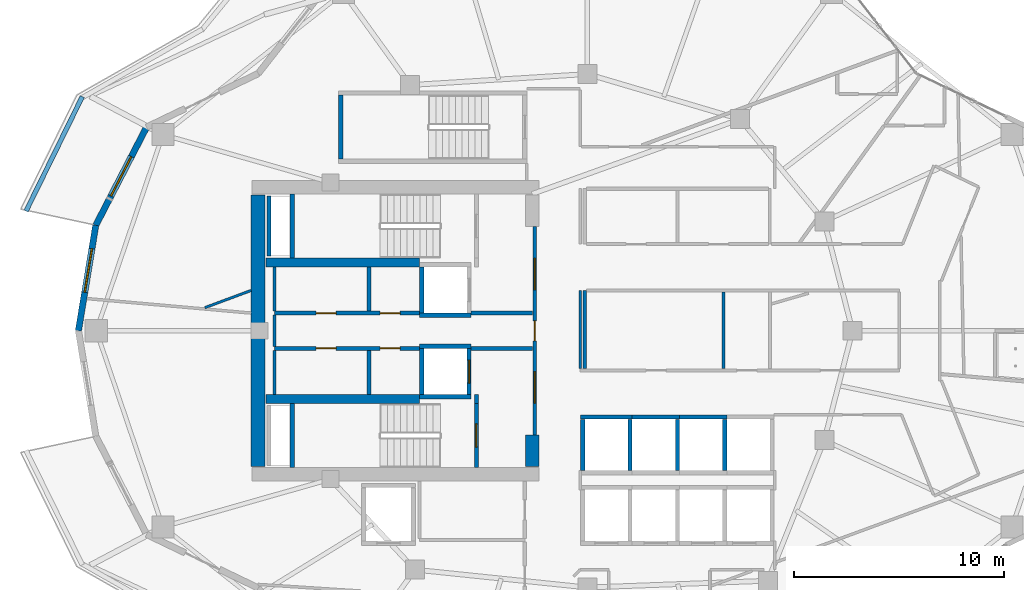
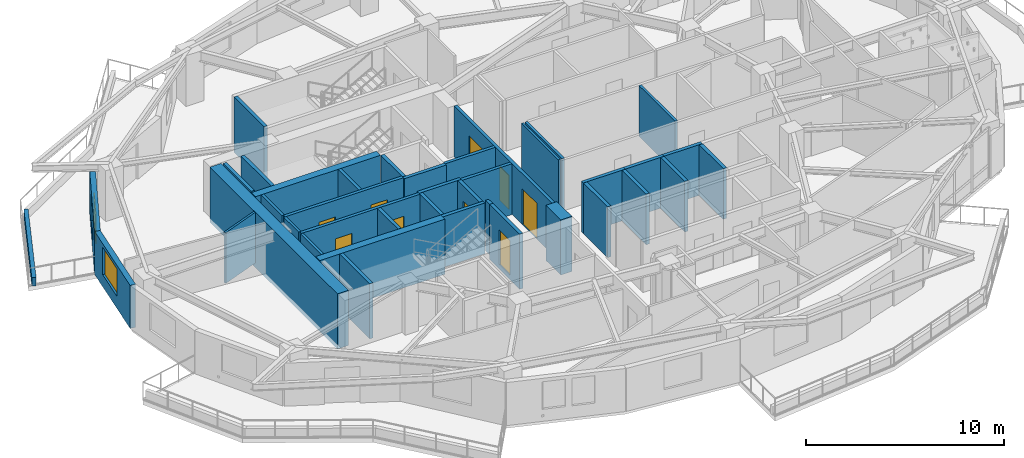
# One storey, part 7 of 15: 40 walls, 9 doors, 2 windows, 11 openings.
"""IFC4 building model written with IfcOpenShell, lengths in metres."""

from ifc_helpers import new_model, si_unit, direction, frame, frame_2d, origin, place, context, subcontext, project, spatial, rectangle, extrude, material, layer, layer_set, type_object, element, fill, save


model = new_model("IFC4")

# Units and contexts
model_context = context("Model", 3, precision=1e-05, world=origin(), true_north=direction((0.0, 1.0)))
body_context = subcontext(model_context, "Body", "Model", "MODEL_VIEW")
ifc_project = project(units=[si_unit("LENGTHUNIT", "METRE"), si_unit("AREAUNIT", "SQUARE_METRE"), si_unit("VOLUMEUNIT", "CUBIC_METRE"), si_unit("PLANEANGLEUNIT", "RADIAN"), si_unit("MASSUNIT", "GRAM", prefix="KILO")], contexts=[model_context])

# Site, building, storey
site_placement = place(None, origin())
site = spatial("IfcSite", under=ifc_project, at=site_placement, CompositionType="ELEMENT")
building_placement = place(site_placement, origin())
building = spatial("IfcBuilding", under=site, at=building_placement, Name="Kolvaren Gate Tower and Convention Centre", CompositionType="ELEMENT")
storey_placement = place(building_placement, frame((0.0, 0.0, 129.10009765625)))
storey = spatial("IfcBuildingStorey", under=building, at=storey_placement, Name="L32", CompositionType="ELEMENT", Elevation=129.10009765625)

# Wall
ifc_material_1 = material(Name="Autoclaved Aerated Masonry Blockwork Class 4 (4.0 MPa)", Category="masonry")
ifc_layer_1 = layer(ifc_material_1, 0.179931640625)
ifc_layer_set_1 = layer_set([ifc_layer_1], Name="Autoclaved Aerated Masonry Blockwork Class 4 (4.0 MPa)")
wall_type_1 = type_object("IfcWallType", Name="ARCH-WL-COMP-180", PredefinedType="SOLIDWALL", material=ifc_layer_set_1)
wall_1_placement = place(storey_placement, frame((24.85009765625, 23.5400390625, 0.0), z_axis=(0.0, 0.0, 1.0), x_axis=(0.0, 1.0, 0.0)))
element("IfcWall", 1, at=wall_1_placement, inside=storey, type_object=wall_type_1, Name="Interior Partition WL-L32-INT-001", PredefinedType="SOLIDWALL", context=body_context, shape_type="SweptSolid", body=[
    extrude(rectangle(XDim=0.419921875, YDim=0.179931640625, at=frame_2d((0.2099609375, 0.0))), origin(), (0.0, 0.0, 1.0), 3.1298828125),
])

# Wall, openings, doors
wall_2_placement = place(storey_placement, frame((27.6201171875, 22.050048828125, 0.0), z_axis=(0.0, 0.0, 1.0), x_axis=(0.0, 1.0, 0.0)))
wall_2 = element("IfcWall", 2, at=wall_2_placement, inside=storey, type_object=wall_type_1, Name="Interior Partition WL-L32-INT-003", PredefinedType="SOLIDWALL", context=body_context, shape_type="SweptSolid", body=[
    extrude(rectangle(XDim=9.89990234375, YDim=0.179931640625, at=frame_2d((4.949951171875, 0.0))), origin(), (0.0, 0.0, 1.0), 3.1298828125),
])
opening_1_placement = place(wall_2_placement, frame((4.47509765625, 0.0, 0.0)))
opening_1 = element("IfcOpeningElement", 3, at=opening_1_placement, cuts=wall_2, Name="Opening DR-01", PredefinedType="OPENING", context=body_context, shape_type="SweptSolid", body=[
    extrude(rectangle(XDim=0.949951171875, YDim=2.10009765625, at=frame_2d((0.47509765625, 1.050048828125))), frame((0.0, 0.099853515625, 0.0), z_axis=(0.0, -1.0, 0.0), x_axis=(1.0, 0.0, 0.0)), (0.0, 0.0, 1.0), 0.199951171875),
])
opening_2_placement = place(wall_2_placement, frame((6.889892578125, 0.0, 0.0)))
opening_2 = element("IfcOpeningElement", 4, at=opening_2_placement, cuts=wall_2, Name="Opening DL-01", PredefinedType="OPENING", context=body_context, shape_type="SweptSolid", body=[
    extrude(rectangle(XDim=1.5, YDim=2.199951171875, at=frame_2d((0.75, 1.10009765625))), frame((0.0, 0.099853515625, 0.0), z_axis=(0.0, -1.0, 0.0), x_axis=(1.0, 0.0, 0.0)), (0.0, 0.0, 1.0), 0.199951171875),
])
opening_3_placement = place(wall_2_placement, frame((1.510009765625, 0.0, 0.0)))
opening_3 = element("IfcOpeningElement", 5, at=opening_3_placement, cuts=wall_2, Name="Opening DL-01", PredefinedType="OPENING", context=body_context, shape_type="SweptSolid", body=[
    extrude(rectangle(XDim=1.5, YDim=2.199951171875, at=frame_2d((0.75, 1.10009765625))), frame((0.0, 0.099853515625, 0.0), z_axis=(0.0, -1.0, 0.0), x_axis=(1.0, 0.0, 0.0)), (0.0, 0.0, 1.0), 0.199951171875),
])
ifc_material_2 = material(Name="Painted Architectural Steelwork ASTM A500 Grade C 345 MPa", Category="steel")
door_type_1 = type_object("IfcDoorType", Name="ARCH-DR-LOBBY-1500", OperationType="DOUBLE_DOOR_SINGLE_SWING", PredefinedType="DOOR", material=ifc_material_2)
door_1_placement = place(opening_2_placement, origin())
door_1 = element("IfcDoor", 6, at=door_1_placement, inside=storey, type_object=door_type_1, Name="North Firefighting Stair and Lift Lobby Door", OperationType="DOUBLE_DOOR_SINGLE_SWING", OverallHeight=2.199951171875, OverallWidth=1.5, PredefinedType="DOOR", context=body_context, shape_type="SweptSolid", body=[
    extrude(rectangle(XDim=1.5, YDim=2.199951171875, at=frame_2d((0.75, 1.10009765625))), frame((0.0, 0.02490234375, 0.0), z_axis=(0.0, -1.0, 0.0), x_axis=(1.0, 0.0, 0.0)), (0.0, 0.0, 1.0), 0.050048828125),
])
fill(opening_2, door_1)
door_2_placement = place(opening_3_placement, origin())
door_2 = element("IfcDoor", 7, at=door_2_placement, inside=storey, type_object=door_type_1, Name="South Firefighting Stair and Lift Lobby Door", OperationType="DOUBLE_DOOR_SINGLE_SWING", OverallHeight=2.199951171875, OverallWidth=1.5, PredefinedType="DOOR", context=body_context, shape_type="SweptSolid", body=[
    extrude(rectangle(XDim=1.5, YDim=2.199951171875, at=frame_2d((0.75, 1.10009765625))), frame((0.0, 0.02490234375, 0.0), z_axis=(0.0, -1.0, 0.0), x_axis=(1.0, 0.0, 0.0)), (0.0, 0.0, 1.0), 0.050048828125),
])
fill(opening_3, door_2)
door_type_2 = type_object("IfcDoorType", Name="ARCH-DR-RISER-950", OperationType="SINGLE_SWING_RIGHT", PredefinedType="DOOR", material=ifc_material_2)
door_3_placement = place(opening_1_placement, origin())
door_3 = element("IfcDoor", 8, at=door_3_placement, inside=storey, type_object=door_type_2, Name="Central MEP Service Corridor Door", OperationType="SINGLE_SWING_LEFT", OverallHeight=2.10009765625, OverallWidth=0.949951171875, PredefinedType="DOOR", context=body_context, shape_type="SweptSolid", body=[
    extrude(rectangle(XDim=0.949951171875, YDim=2.10009765625, at=frame_2d((0.47509765625, 1.050048828125))), frame((0.0, 0.02490234375, 0.0), z_axis=(0.0, -1.0, 0.0), x_axis=(1.0, 0.0, 0.0)), (0.0, 0.0, 1.0), 0.050048828125),
])
fill(opening_1, door_3)

wall_3_placement = place(storey_placement, frame((15.25, 27.840087890625, 0.0), z_axis=(0.0, 0.0, 1.0), x_axis=(1.0, 0.0, 0.0)))
wall_3 = element("IfcWall", 9, at=wall_3_placement, inside=storey, type_object=wall_type_1, Name="Interior Partition WL-L32-INT-004", PredefinedType="SOLIDWALL", context=body_context, shape_type="SweptSolid", body=[
    extrude(rectangle(XDim=6.89990234375, YDim=0.179931640625, at=frame_2d((3.449951171875, 0.0))), origin(), (0.0, 0.0, 1.0), 3.1298828125),
])
opening_4_placement = place(wall_3_placement, frame((5.02001953125, 0.0, 0.0)))
opening_4 = element("IfcOpeningElement", 10, at=opening_4_placement, cuts=wall_3, Name="Opening DR-01", PredefinedType="OPENING", context=body_context, shape_type="SweptSolid", body=[
    extrude(rectangle(XDim=0.949951171875, YDim=2.10009765625, at=frame_2d((0.47509765625, 1.050048828125))), frame((0.0, 0.099853515625, 0.0), z_axis=(0.0, -1.0, 0.0), x_axis=(1.0, 0.0, 0.0)), (0.0, 0.0, 1.0), 0.199951171875),
])
opening_5_placement = place(wall_3_placement, frame((1.97998046875, 0.0, 0.0)))
opening_5 = element("IfcOpeningElement", 11, at=opening_5_placement, cuts=wall_3, Name="Opening DR-01", PredefinedType="OPENING", context=body_context, shape_type="SweptSolid", body=[
    extrude(rectangle(XDim=0.949951171875, YDim=2.10009765625, at=frame_2d((0.47509765625, 1.050048828125))), frame((0.0, 0.099853515625, 0.0), z_axis=(0.0, -1.0, 0.0), x_axis=(1.0, 0.0, 0.0)), (0.0, 0.0, 1.0), 0.199951171875),
])
door_4_placement = place(opening_4_placement, origin())
door_4 = element("IfcDoor", 12, at=door_4_placement, inside=storey, type_object=door_type_2, Name="Electrical Switchgear Closet Door", OperationType="SINGLE_SWING_RIGHT", OverallHeight=2.10009765625, OverallWidth=0.949951171875, PredefinedType="DOOR", context=body_context, shape_type="SweptSolid", body=[
    extrude(rectangle(XDim=0.949951171875, YDim=2.10009765625, at=frame_2d((0.47509765625, 1.050048828125))), frame((0.0, 0.02490234375, 0.0), z_axis=(0.0, -1.0, 0.0), x_axis=(1.0, 0.0, 0.0)), (0.0, 0.0, 1.0), 0.050048828125),
])
fill(opening_4, door_4)
door_5_placement = place(opening_5_placement, origin())
door_5 = element("IfcDoor", 13, at=door_5_placement, inside=storey, type_object=door_type_2, Name="Staff Powder Washroom Door", OperationType="SINGLE_SWING_RIGHT", OverallHeight=2.10009765625, OverallWidth=0.949951171875, PredefinedType="DOOR", context=body_context, shape_type="SweptSolid", body=[
    extrude(rectangle(XDim=0.949951171875, YDim=2.10009765625, at=frame_2d((0.47509765625, 1.050048828125))), frame((0.0, 0.02490234375, 0.0), z_axis=(0.0, -1.0, 0.0), x_axis=(1.0, 0.0, 0.0)), (0.0, 0.0, 1.0), 0.050048828125),
])
fill(opening_5, door_5)

# Wall
wall_4_placement = place(storey_placement, frame((24.60009765625, 27.840087890625, 0.0), z_axis=(0.0, 0.0, 1.0), x_axis=(1.0, 0.0, 0.0)))
element("IfcWall", 14, at=wall_4_placement, inside=storey, type_object=wall_type_1, Name="Interior Partition WL-L32-INT-004 (2)", PredefinedType="SOLIDWALL", context=body_context, shape_type="SweptSolid", body=[
    extrude(rectangle(XDim=2.927978515625, YDim=0.179931640625, at=frame_2d((1.4638671875, 0.0))), origin(), (0.0, 0.0, 1.0), 3.1298828125),
])

# Wall, openings, doors
wall_5_placement = place(storey_placement, frame((15.25, 26.159912109375, 0.0), z_axis=(0.0, 0.0, 1.0), x_axis=(1.0, 0.0, 0.0)))
wall_5 = element("IfcWall", 15, at=wall_5_placement, inside=storey, type_object=wall_type_1, Name="Interior Partition WL-L32-INT-005", PredefinedType="SOLIDWALL", context=body_context, shape_type="SweptSolid", body=[
    extrude(rectangle(XDim=6.89990234375, YDim=0.179931640625, at=frame_2d((3.449951171875, 0.0))), origin(), (0.0, 0.0, 1.0), 3.1298828125),
])
opening_6_placement = place(wall_5_placement, frame((5.02001953125, 0.0, 0.0)))
opening_6 = element("IfcOpeningElement", 16, at=opening_6_placement, cuts=wall_5, Name="Opening DR-01", PredefinedType="OPENING", context=body_context, shape_type="SweptSolid", body=[
    extrude(rectangle(XDim=0.949951171875, YDim=2.10009765625, at=frame_2d((0.47509765625, 1.050048828125))), frame((0.0, 0.099853515625, 0.0), z_axis=(0.0, -1.0, 0.0), x_axis=(1.0, 0.0, 0.0)), (0.0, 0.0, 1.0), 0.199951171875),
])
opening_7_placement = place(wall_5_placement, frame((1.97998046875, 0.0, 0.0)))
opening_7 = element("IfcOpeningElement", 17, at=opening_7_placement, cuts=wall_5, Name="Opening DR-01", PredefinedType="OPENING", context=body_context, shape_type="SweptSolid", body=[
    extrude(rectangle(XDim=0.949951171875, YDim=2.10009765625, at=frame_2d((0.47509765625, 1.050048828125))), frame((0.0, 0.099853515625, 0.0), z_axis=(0.0, -1.0, 0.0), x_axis=(1.0, 0.0, 0.0)), (0.0, 0.0, 1.0), 0.199951171875),
])
door_6_placement = place(opening_6_placement, origin())
door_6 = element("IfcDoor", 18, at=door_6_placement, inside=storey, type_object=door_type_2, Name="Domestic Water Meter Closet Door", OperationType="SINGLE_SWING_LEFT", OverallHeight=2.10009765625, OverallWidth=0.949951171875, PredefinedType="DOOR", context=body_context, shape_type="SweptSolid", body=[
    extrude(rectangle(XDim=0.949951171875, YDim=2.10009765625, at=frame_2d((0.47509765625, 1.050048828125))), frame((0.0, 0.02490234375, 0.0), z_axis=(0.0, -1.0, 0.0), x_axis=(1.0, 0.0, 0.0)), (0.0, 0.0, 1.0), 0.050048828125),
])
fill(opening_6, door_6)
door_7_placement = place(opening_7_placement, origin())
door_7 = element("IfcDoor", 19, at=door_7_placement, inside=storey, type_object=door_type_2, Name="Janitor Equipment Store Door", OperationType="SINGLE_SWING_LEFT", OverallHeight=2.10009765625, OverallWidth=0.949951171875, PredefinedType="DOOR", context=body_context, shape_type="SweptSolid", body=[
    extrude(rectangle(XDim=0.949951171875, YDim=2.10009765625, at=frame_2d((0.47509765625, 1.050048828125))), frame((0.0, 0.02490234375, 0.0), z_axis=(0.0, -1.0, 0.0), x_axis=(1.0, 0.0, 0.0)), (0.0, 0.0, 1.0), 0.050048828125),
])
fill(opening_7, door_7)

# Walls
wall_6_placement = place(storey_placement, frame((24.60009765625, 26.159912109375, 0.0), z_axis=(0.0, 0.0, 1.0), x_axis=(1.0, 0.0, 0.0)))
element("IfcWall", 20, at=wall_6_placement, inside=storey, type_object=wall_type_1, Name="Interior Partition WL-L32-INT-005 (2)", PredefinedType="SOLIDWALL", context=body_context, shape_type="SweptSolid", body=[
    extrude(rectangle(XDim=2.927978515625, YDim=0.179931640625, at=frame_2d((1.4638671875, 0.0))), origin(), (0.0, 0.0, 1.0), 3.1298828125),
])
for number, where, z_axis, x_axis, name in (
    (21, (19.75, 23.9619140625, 0.0), (0.0, 0.0, 1.0), (0.0, 1.0, 0.0), "Interior Partition WL-L32-INT-007"),
    (22, (19.75, 27.931884765625, 0.0), (0.0, 0.0, 1.0), (0.0, 1.0, 0.0), "Interior Partition WL-L32-INT-008"),
):
    element("IfcWall", number, at=place(storey_placement, frame(where, z_axis=z_axis, x_axis=x_axis)), inside=storey, type_object=wall_type_1, Name=name, PredefinedType="SOLIDWALL", context=body_context, shape_type="SweptSolid", body=[
        extrude(rectangle(XDim=2.106201171875, YDim=0.179931640625, at=frame_2d((1.05322265625, 0.0))), origin(), (0.0, 0.0, 1.0), 3.1298828125),
    ])
ifc_material_3 = material(Name="Fire-Rated Acoustic Gypsum Stud Partition", Category="gypsum")
ifc_layer_2 = layer(ifc_material_3, 0.1201171875)
ifc_layer_set_2 = layer_set([ifc_layer_2], Name="Fire-Rated Acoustic Gypsum Stud Partition")
wall_type_2 = type_object("IfcWallType", Name="ARCH-WL-PART-120", PredefinedType="PARTITIONING", material=ifc_layer_set_2)
wall_7_placement = place(storey_placement, frame((29.780029296875, 25.197021484375, 0.0), z_axis=(0.0, 0.0, 1.0), x_axis=(0.0, 1.0, 0.0)))
element("IfcWall", 23, at=wall_7_placement, inside=storey, type_object=wall_type_2, Name="Interior Partition WL-L32-INT-031", PredefinedType="PARTITIONING", context=body_context, shape_type="SweptSolid", body=[
    extrude(rectangle(XDim=3.722900390625, YDim=0.1201171875, at=frame_2d((1.861328125, 0.0))), origin(), (0.0, 0.0, 1.0), 3.1298828125),
])
wall_8_placement = place(storey_placement, frame((11.943115234375, 28.096923828125, 0.0), z_axis=(0.0, 0.0, 1.0), x_axis=(0.937403974444, 0.348243863831, 0.0)))
element("IfcWall", 24, at=wall_8_placement, inside=storey, type_object=wall_type_2, Name="Interior Partition WL-L32-INT-067", PredefinedType="PARTITIONING", context=body_context, shape_type="SweptSolid", body=[
    extrude(rectangle(XDim=2.35205078125, YDim=0.1201171875, at=frame_2d((1.176025390625, 0.0))), origin(), (0.0, 0.0, 1.0), 3.1298828125),
])
ifc_material_4 = material(Name="Piedmont Cream Honed Limestone Cladding", Category="masonry")
ifc_layer_3 = layer(ifc_material_4, 0.219970703125)
ifc_layer_set_3 = layer_set([ifc_layer_3], Name="Piedmont Cream Honed Limestone Cladding")
wall_type_3 = type_object("IfcWallType", Name="ARCH-WL-PLANTER-220", PredefinedType="PARAPET", material=ifc_layer_set_3)
wall_9_placement = place(storey_placement, frame((3.44873046875, 32.68701171875, 0.0), z_axis=(0.0, 0.0, 1.0), x_axis=(0.441269631716, 0.897374566235, 0.0)))
element("IfcWall", 25, at=wall_9_placement, inside=storey, type_object=wall_type_3, Name="Vertical-Forest Balcony Stone Planter Kerb PK-L32-1.3", PredefinedType="PARAPET", context=body_context, shape_type="SweptSolid", body=[
    extrude(rectangle(XDim=6.05615234375, YDim=0.219970703125, at=frame_2d((3.028076171875, 0.0))), origin(), (0.0, 0.0, 1.0), 0.52001953125),
])
ifc_layer_4 = layer(ifc_material_1, 0.199951171875)
ifc_layer_set_4 = layer_set([ifc_layer_4], Name="Autoclaved Aerated Masonry Blockwork Class 4 (4.0 MPa)")
wall_type_4 = type_object("IfcWallType", Name="ARCH-WL-SHAFT-200", PredefinedType="SOLIDWALL", material=ifc_layer_set_4)
wall_10_placement = place(storey_placement, frame((22.14990234375, 27.739990234375, 0.0), z_axis=(0.0, 0.0, 1.0), x_axis=(1.0, 0.0, 0.0)))
element("IfcWall", 26, at=wall_10_placement, inside=storey, type_object=wall_type_4, Name="Elevator FF-01 L32 Fire Shaft Wall S", PredefinedType="SOLIDWALL", context=body_context, shape_type="SweptSolid", body=[
    extrude(rectangle(XDim=2.4501953125, YDim=0.199951171875, at=frame_2d((1.22509765625, 0.0))), origin(), (0.0, 0.0, 1.0), 3.1298828125),
])
wall_11_placement = place(storey_placement, frame((22.25, 27.85009765625, 0.0), z_axis=(0.0, 0.0, 1.0), x_axis=(0.0, 1.0, 0.0)))
element("IfcWall", 27, at=wall_11_placement, inside=storey, type_object=wall_type_4, Name="Elevator FF-01 L32 Fire Shaft Wall W", PredefinedType="SOLIDWALL", context=body_context, shape_type="SweptSolid", body=[
    extrude(rectangle(XDim=2.179931640625, YDim=0.199951171875, at=frame_2d((1.08984375, 0.0))), origin(), (0.0, 0.0, 1.0), 3.1298828125),
])
for number, where, z_axis, x_axis, name in (
    (28, (22.14990234375, 26.260009765625, 0.0), (0.0, 0.0, 1.0), (1.0, 0.0, 0.0), "Elevator FF-02 L32 Fire Shaft Wall N"),
    (29, (22.14990234375, 23.860107421875, 0.0), (0.0, 0.0, 1.0), (1.0, 0.0, 0.0), "Elevator FF-02 L32 Fire Shaft Wall S"),
):
    element("IfcWall", number, at=place(storey_placement, frame(where, z_axis=z_axis, x_axis=x_axis)), inside=storey, type_object=wall_type_4, Name=name, PredefinedType="SOLIDWALL", context=body_context, shape_type="SweptSolid", body=[
        extrude(rectangle(XDim=2.4501953125, YDim=0.199951171875, at=frame_2d((1.22509765625, 0.0))), origin(), (0.0, 0.0, 1.0), 3.1298828125),
    ])
wall_12_placement = place(storey_placement, frame((22.25, 23.969970703125, 0.0), z_axis=(0.0, 0.0, 1.0), x_axis=(0.0, 1.0, 0.0)))
element("IfcWall", 30, at=wall_12_placement, inside=storey, type_object=wall_type_4, Name="Elevator FF-02 L32 Fire Shaft Wall W", PredefinedType="SOLIDWALL", context=body_context, shape_type="SweptSolid", body=[
    extrude(rectangle(XDim=2.179931640625, YDim=0.199951171875, at=frame_2d((1.08984375, 0.0))), origin(), (0.0, 0.0, 1.0), 3.1298828125),
])

# Wall, opening, door
wall_13_placement = place(storey_placement, frame((24.5, 23.969970703125, 0.0), z_axis=(0.0, 0.0, 1.0), x_axis=(0.0, 1.0, 0.0)))
wall_13 = element("IfcWall", 31, at=wall_13_placement, inside=storey, type_object=wall_type_4, Name="Elevator FF-02 L32 Fire Shaft Wall E", PredefinedType="SOLIDWALL", context=body_context, shape_type="SweptSolid", body=[
    extrude(rectangle(XDim=2.179931640625, YDim=0.199951171875, at=frame_2d((1.08984375, 0.0))), origin(), (0.0, 0.0, 1.0), 3.1298828125),
])
opening_8_placement = place(wall_13_placement, frame((0.5400390625, 0.0, 0.0)))
opening_8 = element("IfcOpeningElement", 32, at=opening_8_placement, cuts=wall_13, Name="Opening LD", PredefinedType="OPENING", context=body_context, shape_type="SweptSolid", body=[
    extrude(rectangle(XDim=1.10009765625, YDim=2.199951171875, at=frame_2d((0.550048828125, 1.10009765625))), frame((0.0, 0.10986328125, 0.0), z_axis=(0.0, -1.0, 0.0), x_axis=(1.0, 0.0, 0.0)), (0.0, 0.0, 1.0), 0.219970703125),
])
ifc_material_5 = material(Name="Brushed Stainless Steel Grade 316L", Category="steel")
door_type_3 = type_object("IfcDoorType", Name="ARCH-DR-LIFT-1100", OperationType="SLIDING_TO_LEFT", PredefinedType="DOOR", material=ifc_material_5)
door_8_placement = place(opening_8_placement, origin())
door_8 = element("IfcDoor", 33, at=door_8_placement, inside=storey, type_object=door_type_3, Name="Elevator FF-02 L32 Sliding Landing Door", OperationType="SLIDING_TO_LEFT", OverallHeight=2.199951171875, OverallWidth=1.10009765625, PredefinedType="DOOR", context=body_context, shape_type="SweptSolid", body=[
    extrude(rectangle(XDim=1.10009765625, YDim=2.199951171875, at=frame_2d((0.550048828125, 1.10009765625))), frame((0.0, 0.02490234375, 0.0), z_axis=(0.0, -1.0, 0.0), x_axis=(1.0, 0.0, 0.0)), (0.0, 0.0, 1.0), 0.050048828125),
])
fill(opening_8, door_8)

# Walls
wall_14_placement = place(storey_placement, frame((29.800048828125, 22.89990234375, 0.0), z_axis=(0.0, 0.0, 1.0), x_axis=(1.0, 0.0, 0.0)))
element("IfcWall", 34, at=wall_14_placement, inside=storey, type_object=wall_type_4, Name="Elevator PL-09 L32 Fire Shaft Wall N", PredefinedType="SOLIDWALL", context=body_context, shape_type="SweptSolid", body=[
    extrude(rectangle(XDim=2.449951171875, YDim=0.199951171875, at=frame_2d((1.22509765625, 0.0))), origin(), (0.0, 0.0, 1.0), 3.1298828125),
])
for number, where, z_axis, x_axis, name in (
    (35, (29.89990234375, 20.360107421875, 0.0), (0.0, 0.0, 1.0), (0.0, 1.0, 0.0), "Elevator PL-09 L32 Fire Shaft Wall W"),
    (36, (32.14990234375, 20.360107421875, 0.0), (0.0, 0.0, 1.0), (0.0, 1.0, 0.0), "Elevator PL-09 L32 Fire Shaft Wall E"),
):
    element("IfcWall", number, at=place(storey_placement, frame(where, z_axis=z_axis, x_axis=x_axis)), inside=storey, type_object=wall_type_4, Name=name, PredefinedType="SOLIDWALL", context=body_context, shape_type="SweptSolid", body=[
        extrude(rectangle(XDim=2.429931640625, YDim=0.199951171875, at=frame_2d((1.21484375, 0.0))), origin(), (0.0, 0.0, 1.0), 3.1298828125),
    ])
wall_15_placement = place(storey_placement, frame((32.25, 22.89990234375, 0.0), z_axis=(0.0, 0.0, 1.0), x_axis=(1.0, 0.0, 0.0)))
element("IfcWall", 37, at=wall_15_placement, inside=storey, type_object=wall_type_4, Name="Elevator PL-10 L32 Fire Shaft Wall N", PredefinedType="SOLIDWALL", context=body_context, shape_type="SweptSolid", body=[
    extrude(rectangle(XDim=2.25, YDim=0.199951171875, at=frame_2d((1.125, 0.0))), origin(), (0.0, 0.0, 1.0), 3.1298828125),
])
wall_16_placement = place(storey_placement, frame((34.39990234375, 20.360107421875, 0.0), z_axis=(0.0, 0.0, 1.0), x_axis=(0.0, 1.0, 0.0)))
element("IfcWall", 38, at=wall_16_placement, inside=storey, type_object=wall_type_4, Name="Elevator PL-10 L32 Fire Shaft Wall E", PredefinedType="SOLIDWALL", context=body_context, shape_type="SweptSolid", body=[
    extrude(rectangle(XDim=2.429931640625, YDim=0.199951171875, at=frame_2d((1.21484375, 0.0))), origin(), (0.0, 0.0, 1.0), 3.1298828125),
])
wall_17_placement = place(storey_placement, frame((34.5, 22.89990234375, 0.0), z_axis=(0.0, 0.0, 1.0), x_axis=(1.0, 0.0, 0.0)))
element("IfcWall", 39, at=wall_17_placement, inside=storey, type_object=wall_type_4, Name="Elevator PL-11 L32 Fire Shaft Wall N", PredefinedType="SOLIDWALL", context=body_context, shape_type="SweptSolid", body=[
    extrude(rectangle(XDim=2.25, YDim=0.199951171875, at=frame_2d((1.125, 0.0))), origin(), (0.0, 0.0, 1.0), 3.1298828125),
])
wall_18_placement = place(storey_placement, frame((36.64990234375, 20.360107421875, 0.0), z_axis=(0.0, 0.0, 1.0), x_axis=(0.0, 1.0, 0.0)))
element("IfcWall", 40, at=wall_18_placement, inside=storey, type_object=wall_type_4, Name="Elevator PL-11 L32 Fire Shaft Wall E", PredefinedType="SOLIDWALL", context=body_context, shape_type="SweptSolid", body=[
    extrude(rectangle(XDim=2.429931640625, YDim=0.199951171875, at=frame_2d((1.21484375, 0.0))), origin(), (0.0, 0.0, 1.0), 3.1298828125),
])
wall_19_placement = place(storey_placement, frame((14.989990234375, 30.550048828125, 0.0), z_axis=(0.0, 0.0, 1.0), x_axis=(0.0, 1.0, 0.0)))
element("IfcWall", 41, at=wall_19_placement, inside=storey, type_object=wall_type_4, Name="Vertical Shaft HVR L32 EI-120 Enclosure Wall W", PredefinedType="SOLIDWALL", context=body_context, shape_type="SweptSolid", body=[
    extrude(rectangle(XDim=2.849853515625, YDim=0.199951171875, at=frame_2d((1.4248046875, 0.0))), origin(), (0.0, 0.0, 1.0), 3.1298828125),
])

# Wall, opening, window
ifc_layer_5 = layer(ifc_material_4, 0.300048828125)
ifc_layer_set_5 = layer_set([ifc_layer_5], Name="Piedmont Cream Honed Limestone Cladding")
wall_type_5 = type_object("IfcWallType", Name="ARCH-WL-STONE-300", PredefinedType="SOLIDWALL", material=ifc_layer_set_5)
wall_20_placement = place(storey_placement, frame((6.76171875, 32.008056640625, 0.0), z_axis=(0.0, 0.0, 1.0), x_axis=(0.459767899643, 0.888039119892, 0.0)))
wall_20 = element("IfcWall", 42, at=wall_20_placement, inside=storey, type_object=wall_type_5, Name="Tower L32 Honed Stone Spandrel Wall EW-10", PredefinedType="SOLIDWALL", context=body_context, shape_type="SweptSolid", body=[
    extrude(rectangle(XDim=5.25537109375, YDim=0.300048828125, at=frame_2d((2.627685546875, 0.0))), origin(), (0.0, 0.0, 1.0), 2.65283203125),
])
opening_9_placement = place(wall_20_placement, frame((1.577880859375, 0.0, 0.739990234375)))
opening_9 = element("IfcOpeningElement", 43, at=opening_9_placement, cuts=wall_20, Name="Opening W-02", PredefinedType="OPENING", context=body_context, shape_type="SweptSolid", body=[
    extrude(rectangle(XDim=2.10009765625, YDim=1.699951171875, at=frame_2d((1.050048828125, 0.85009765625))), frame((0.0, 0.159912109375, 0.0), z_axis=(0.0, -1.0, 0.0), x_axis=(1.0, 0.0, 0.0)), (0.0, 0.0, 1.0), 0.320068359375),
])
ifc_material_6 = material(Name="Low-E Triple Insulated Glazing Unit 44 mm", Category="glass")
window_type = type_object("IfcWindowType", Name="ARCH-WN-HTL-2100", PartitioningType="SINGLE_PANEL", PredefinedType="WINDOW", material=ifc_material_6)
window_1_placement = place(opening_9_placement, origin())
window_1 = element("IfcWindow", 44, at=window_1_placement, inside=storey, type_object=window_type, Name="Tower L32 Punched Stone Facade Window W-10", OverallHeight=1.699951171875, OverallWidth=2.10009765625, PartitioningType="SINGLE_PANEL", PredefinedType="WINDOW", context=body_context, shape_type="SweptSolid", body=[
    extrude(rectangle(XDim=2.10009765625, YDim=1.699951171875, at=frame_2d((1.050048828125, 0.85009765625))), frame((0.0, 0.030029296875, 0.0), z_axis=(0.0, -1.0, 0.0), x_axis=(1.0, 0.0, 0.0)), (0.0, 0.0, 1.0), 0.06005859375),
])
fill(opening_9, window_1)

wall_21_placement = place(storey_placement, frame((5.9375, 27.0, 0.0), z_axis=(0.0, 0.0, 1.0), x_axis=(0.162393944769, 0.986726003864, 0.0)))
wall_21 = element("IfcWall", 45, at=wall_21_placement, inside=storey, type_object=wall_type_5, Name="Tower L32 Honed Stone Spandrel Wall EW-11", PredefinedType="SOLIDWALL", context=body_context, shape_type="SweptSolid", body=[
    extrude(rectangle(XDim=5.075439453125, YDim=0.300048828125, at=frame_2d((2.53759765625, 0.0))), origin(), (0.0, 0.0, 1.0), 2.65283203125),
])
opening_10_placement = place(wall_21_placement, frame((1.85009765625, 0.0, 0.739990234375)))
opening_10 = element("IfcOpeningElement", 46, at=opening_10_placement, cuts=wall_21, Name="Opening W-02", PredefinedType="OPENING", context=body_context, shape_type="SweptSolid", body=[
    extrude(rectangle(XDim=2.10009765625, YDim=1.699951171875, at=frame_2d((1.050048828125, 0.85009765625))), frame((0.0, 0.159912109375, 0.0), z_axis=(0.0, -1.0, 0.0), x_axis=(1.0, 0.0, 0.0)), (0.0, 0.0, 1.0), 0.320068359375),
])
window_2_placement = place(opening_10_placement, origin())
window_2 = element("IfcWindow", 47, at=window_2_placement, inside=storey, type_object=window_type, Name="Tower L32 Punched Stone Facade Window W-11", OverallHeight=1.699951171875, OverallWidth=2.10009765625, PartitioningType="SINGLE_PANEL", PredefinedType="WINDOW", context=body_context, shape_type="SweptSolid", body=[
    extrude(rectangle(XDim=2.10009765625, YDim=1.699951171875, at=frame_2d((1.050048828125, 0.85009765625))), frame((0.0, 0.030029296875, 0.0), z_axis=(0.0, -1.0, 0.0), x_axis=(1.0, 0.0, 0.0)), (0.0, 0.0, 1.0), 0.06005859375),
])
fill(opening_10, window_2)

# Walls
ifc_material_7 = material(Name="Moisture-Resistant Cement-Board Acoustic Partition", Category="gypsum")
ifc_layer_6 = layer(ifc_material_7, 0.14990234375)
ifc_layer_set_6 = layer_set([ifc_layer_6], Name="Moisture-Resistant Cement-Board Acoustic Partition")
wall_type_6 = type_object("IfcWallType", Name="ARCH-WL-WET-150", PredefinedType="PARTITIONING", material=ifc_layer_set_6)
wall_22_placement = place(storey_placement, frame((15.25, 23.9619140625, 0.0), z_axis=(0.0, 0.0, 1.0), x_axis=(0.0, 1.0, 0.0)))
element("IfcWall", 48, at=wall_22_placement, inside=storey, type_object=wall_type_6, Name="Interior Partition WL-L32-INT-006", PredefinedType="PARTITIONING", context=body_context, shape_type="SweptSolid", body=[
    extrude(rectangle(XDim=2.106201171875, YDim=0.14990234375, at=frame_2d((1.05322265625, 0.0))), origin(), (0.0, 0.0, 1.0), 3.1298828125),
])
wall_23_placement = place(storey_placement, frame((15.25, 26.251953125, 0.0), z_axis=(0.0, 0.0, 1.0), x_axis=(0.0, 1.0, 0.0)))
element("IfcWall", 49, at=wall_23_placement, inside=storey, type_object=wall_type_6, Name="Interior Partition WL-L32-INT-006 (2)", PredefinedType="PARTITIONING", context=body_context, shape_type="SweptSolid", body=[
    extrude(rectangle(XDim=1.49609375, YDim=0.14990234375, at=frame_2d((0.748046875, 0.0))), origin(), (0.0, 0.0, 1.0), 3.1298828125),
])
wall_24_placement = place(storey_placement, frame((15.25, 27.931884765625, 0.0), z_axis=(0.0, 0.0, 1.0), x_axis=(0.0, 1.0, 0.0)))
element("IfcWall", 50, at=wall_24_placement, inside=storey, type_object=wall_type_6, Name="Interior Partition WL-L32-INT-006 (3)", PredefinedType="PARTITIONING", context=body_context, shape_type="SweptSolid", body=[
    extrude(rectangle(XDim=2.106201171875, YDim=0.14990234375, at=frame_2d((1.05322265625, 0.0))), origin(), (0.0, 0.0, 1.0), 3.1298828125),
])
wall_25_placement = place(storey_placement, frame((30.0, 25.197021484375, 0.0), z_axis=(0.0, 0.0, 1.0), x_axis=(0.0, 1.0, 0.0)))
element("IfcWall", 51, at=wall_25_placement, inside=storey, type_object=wall_type_6, Name="Interior Partition WL-L32-INT-013", PredefinedType="PARTITIONING", context=body_context, shape_type="SweptSolid", body=[
    extrude(rectangle(XDim=3.722900390625, YDim=0.14990234375, at=frame_2d((1.861328125, 0.0))), origin(), (0.0, 0.0, 1.0), 3.1298828125),
])
wall_26_placement = place(storey_placement, frame((36.60009765625, 25.197021484375, 0.0), z_axis=(0.0, 0.0, 1.0), x_axis=(0.0, 1.0, 0.0)))
element("IfcWall", 52, at=wall_26_placement, inside=storey, type_object=wall_type_6, Name="Interior Partition WL-L32-INT-016", PredefinedType="PARTITIONING", context=body_context, shape_type="SweptSolid", body=[
    extrude(rectangle(XDim=3.64599609375, YDim=0.14990234375, at=frame_2d((1.822998046875, 0.0))), origin(), (0.0, 0.0, 1.0), 3.1298828125),
])
ifc_material_8 = material(Name="Concrete C50/60", Category="concrete")
ifc_layer_7 = layer(ifc_material_8, 0.419921875)
ifc_layer_set_7 = layer_set([ifc_layer_7], Name="Concrete C50/60")
wall_type_7 = type_object("IfcWallType", Name="STR-WL-CONV-420", PredefinedType="SHEAR", material=ifc_layer_set_7)
for number, where, z_axis, x_axis, name in (
    (53, (14.85009765625, 30.25, -0.27001953125), (0.0, 0.0, 1.0), (1.0, 0.0, 0.0), "Tower L32 Offset Core Shear Wall WN"),
    (54, (14.85009765625, 23.75, -0.27001953125), (0.0, 0.0, 1.0), (1.0, 0.0, 0.0), "Tower L32 Offset Core Shear Wall WS"),
):
    element("IfcWall", number, at=place(storey_placement, frame(where, z_axis=z_axis, x_axis=x_axis)), inside=storey, type_object=wall_type_7, Name=name, PredefinedType="SHEAR", context=body_context, shape_type="SweptSolid", body=[
        extrude(rectangle(XDim=7.2998046875, YDim=0.419921875, at=frame_2d((3.64990234375, 0.0))), origin(), (0.0, 0.0, 1.0), 3.39990234375),
    ])
ifc_material_9 = material(Name="Concrete C60/75", Category="concrete")
ifc_layer_8 = layer(ifc_material_9, 0.64990234375)
ifc_layer_set_8 = layer_set([ifc_layer_8], Name="Concrete C60/75")
wall_type_8 = type_object("IfcWallType", Name="STR-WL-CORE-650", PredefinedType="SHEAR", material=ifc_layer_set_8)
wall_27_placement = place(storey_placement, frame((14.47509765625, 20.550048828125, -0.27001953125), z_axis=(0.0, 0.0, 1.0), x_axis=(0.0, 1.0, 0.0)))
element("IfcWall", 55, at=wall_27_placement, inside=storey, type_object=wall_type_8, Name="Tower L32 Offset Core Shear Wall W", PredefinedType="SHEAR", context=body_context, shape_type="SweptSolid", body=[
    extrude(rectangle(XDim=12.89990234375, YDim=0.64990234375, at=frame_2d((6.449951171875, 0.0))), origin(), (0.0, 0.0, 1.0), 3.39990234375),
])
wall_28_placement = place(storey_placement, frame((27.5, 20.550048828125, -0.27001953125), z_axis=(0.0, 0.0, 1.0), x_axis=(0.0, 1.0, 0.0)))
element("IfcWall", 56, at=wall_28_placement, inside=storey, type_object=wall_type_8, Name="Tower L32 Offset Core Shear Wall ES", PredefinedType="SHEAR", context=body_context, shape_type="SweptSolid", body=[
    extrude(rectangle(XDim=1.5, YDim=0.64990234375, at=frame_2d((0.75, 0.0))), origin(), (0.0, 0.0, 1.0), 3.39990234375),
])
ifc_layer_9 = layer(ifc_material_8, 0.199951171875)
ifc_layer_set_9 = layer_set([ifc_layer_9], Name="Concrete C50/60")
wall_type_9 = type_object("IfcWallType", Name="STR-WL-SHAFT-200", PredefinedType="SHEAR", material=ifc_layer_set_9)
wall_29_placement = place(storey_placement, frame((16.10009765625, 30.4619140625, -0.27001953125), z_axis=(0.0, 0.0, 1.0), x_axis=(0.0, 1.0, 0.0)))
element("IfcWall", 57, at=wall_29_placement, inside=storey, type_object=wall_type_9, Name="Tower North Exit Stair ST-T1 L32 Structural Shear Enclosure Wall FAR", PredefinedType="SHEAR", context=body_context, shape_type="SweptSolid", body=[
    extrude(rectangle(XDim=3.0361328125, YDim=0.199951171875, at=frame_2d((1.51806640625, 0.0))), origin(), (0.0, 0.0, 1.0), 3.39990234375),
])

# Wall, opening, door
wall_30_placement = place(storey_placement, frame((24.85009765625, 20.501953125, -0.27001953125), z_axis=(0.0, 0.0, 1.0), x_axis=(0.0, 1.0, 0.0)))
wall_30 = element("IfcWall", 58, at=wall_30_placement, inside=storey, type_object=wall_type_9, Name="Tower South Exit Stair ST-T2 L32 Structural Shear Enclosure Wall NEAR", PredefinedType="SHEAR", context=body_context, shape_type="SweptSolid", body=[
    extrude(rectangle(XDim=3.0380859375, YDim=0.199951171875, at=frame_2d((1.51904296875, 0.0))), origin(), (0.0, 0.0, 1.0), 3.39990234375),
])
opening_11_placement = place(wall_30_placement, frame((0.968994140625, 0.0, 0.27001953125)))
opening_11 = element("IfcOpeningElement", 59, at=opening_11_placement, cuts=wall_30, Name="Opening DS-01", PredefinedType="OPENING", context=body_context, shape_type="SweptSolid", body=[
    extrude(rectangle(XDim=1.10009765625, YDim=2.14990234375, at=frame_2d((0.550048828125, 1.074951171875))), frame((0.0, 0.10986328125, 0.0), z_axis=(0.0, -1.0, 0.0), x_axis=(1.0, 0.0, 0.0)), (0.0, 0.0, 1.0), 0.219970703125),
])
door_type_4 = type_object("IfcDoorType", Name="ARCH-DR-STAIR-1100", OperationType="SINGLE_SWING_LEFT", PredefinedType="DOOR", material=ifc_material_2)
door_9_placement = place(opening_11_placement, origin())
door_9 = element("IfcDoor", 60, at=door_9_placement, inside=storey, type_object=door_type_4, Name="Tower South Exit Stair ST-T2 L32 Fire Exit Stair Door", OperationType="SINGLE_SWING_RIGHT", OverallHeight=2.14990234375, OverallWidth=1.10009765625, PredefinedType="DOOR", context=body_context, shape_type="SweptSolid", body=[
    extrude(rectangle(XDim=1.10009765625, YDim=2.14990234375, at=frame_2d((0.550048828125, 1.074951171875))), frame((0.0, 0.02490234375, 0.0), z_axis=(0.0, -1.0, 0.0), x_axis=(1.0, 0.0, 0.0)), (0.0, 0.0, 1.0), 0.050048828125),
])
fill(opening_11, door_9)

# Walls
wall_31_placement = place(storey_placement, frame((16.10009765625, 20.501953125, -0.27001953125), z_axis=(0.0, 0.0, 1.0), x_axis=(0.0, 1.0, 0.0)))
element("IfcWall", 61, at=wall_31_placement, inside=storey, type_object=wall_type_9, Name="Tower South Exit Stair ST-T2 L32 Structural Shear Enclosure Wall FAR", PredefinedType="SHEAR", context=body_context, shape_type="SweptSolid", body=[
    extrude(rectangle(XDim=3.0361328125, YDim=0.199951171875, at=frame_2d((1.51806640625, 0.0))), origin(), (0.0, 0.0, 1.0), 3.39990234375),
])
wall_32_placement = place(storey_placement, frame((18.39990234375, 35.159912109375, -0.27001953125), z_axis=(0.0, 0.0, 1.0), x_axis=(0.0, 1.0, 0.0)))
element("IfcWall", 62, at=wall_32_placement, inside=storey, type_object=wall_type_9, Name="Tower Mid-Zone Exit Stair ST-T3 L32 Structural Shear Enclosure Wall FAR", PredefinedType="SHEAR", context=body_context, shape_type="SweptSolid", body=[
    extrude(rectangle(XDim=3.0400390625, YDim=0.199951171875, at=frame_2d((1.52001953125, 0.0))), origin(), (0.0, 0.0, 1.0), 3.39990234375),
])

save(model, "model.ifc")
